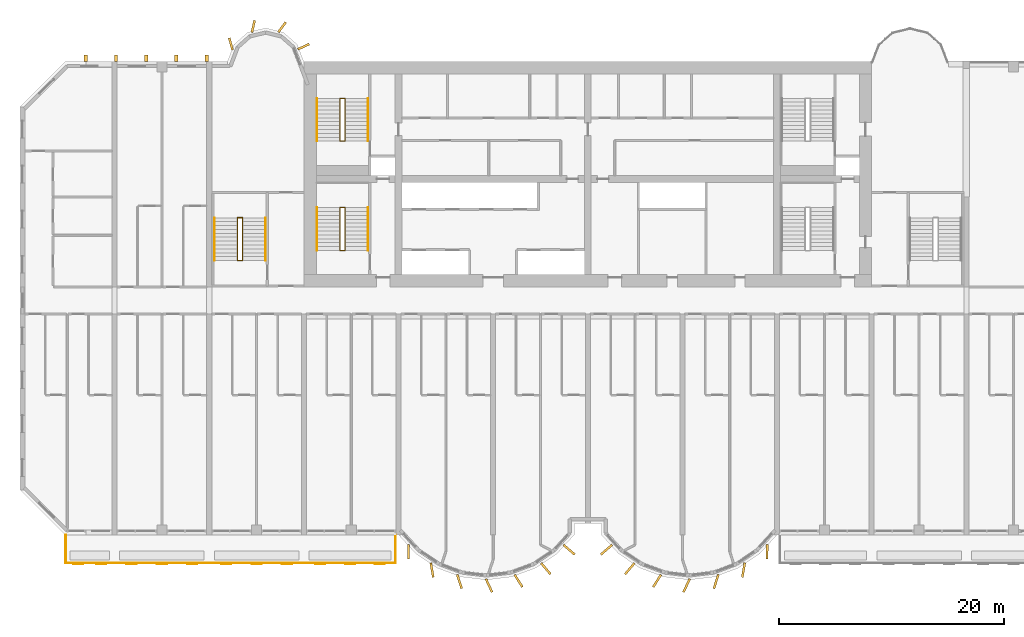
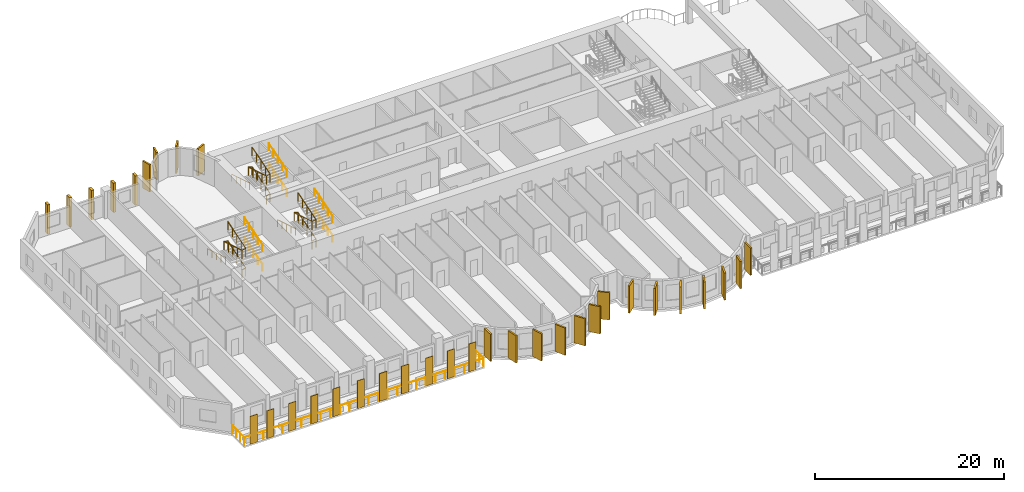
# One storey, part 12 of 14: 34 coverings, 13 railings.
"""IFC4 building model written with IfcOpenShell, lengths in metres."""

from ifc_helpers import new_model, si_unit, direction, frame, origin, origin_2d, place, context, subcontext, project, spatial, rectangle, circle, extrude, source, transform, mapped, material, layer, layer_set, material_profile, profile_set, type_object, element, save


model = new_model("IFC4")

# Units and contexts
model_context = context("Model", 3, precision=1e-05, world=origin(), true_north=direction((0.0, 1.0)))
body_context = subcontext(model_context, "Body", "Model", "MODEL_VIEW")
ifc_project = project(units=[si_unit("LENGTHUNIT", "METRE"), si_unit("AREAUNIT", "SQUARE_METRE"), si_unit("VOLUMEUNIT", "CUBIC_METRE"), si_unit("PLANEANGLEUNIT", "RADIAN"), si_unit("MASSUNIT", "GRAM", prefix="KILO")], contexts=[model_context])

# Site, building, storey
site_placement = place(None, origin())
site = spatial("IfcSite", under=ifc_project, at=site_placement, CompositionType="ELEMENT")
building_placement = place(site_placement, origin())
building = spatial("IfcBuilding", under=site, at=building_placement, Name="Vanashikhar Sky Hotel", CompositionType="ELEMENT")
storey_placement = place(building_placement, frame((0.0, 0.0, 27.800048828125)))
storey = spatial("IfcBuildingStorey", under=building, at=storey_placement, Name="L05", CompositionType="ELEMENT", Elevation=27.800048828125)

# Railing
ifc_material_1 = material(Name="Stainless steel 316", Category="steel")
railing_type_1 = type_object("IfcRailingType", Name="Balcony guard 1100", PredefinedType="GUARDRAIL", material=ifc_material_1)
shared_shape_1 = source(origin(), body_context, "Body", "SweptSolid", [
    extrude(circle(Radius=0.02392578125, at=origin_2d()), frame((0.0, 0.0, 1.076171875), z_axis=(0.0, -1.0, 0.0), x_axis=(1.0, 0.0, 0.0)), (0.0, 0.0, 1.0), 2.5),
    extrude(circle(Radius=0.02392578125, at=origin_2d()), frame((0.0, -2.5, 1.076171875), z_axis=(1.0, 0.0, 0.0), x_axis=(0.0, 1.0, 0.0)), (0.0, 0.0, 1.0), 29.280029296875),
    extrude(circle(Radius=0.02392578125, at=origin_2d()), frame((29.280029296875, -2.5, 1.076171875), z_axis=(0.0, 1.0, 0.0), x_axis=(-1.0, 0.0, 0.0)), (0.0, 0.0, 1.0), 2.5),
    extrude(circle(Radius=0.02099609375, at=origin_2d()), origin(), (0.0, 0.0, 1.0), 1.052001953125),
    extrude(circle(Radius=0.02099609375, at=origin_2d()), frame((0.0, -0.833251953125, 0.0)), (0.0, 0.0, 1.0), 1.052001953125),
    extrude(circle(Radius=0.02099609375, at=origin_2d()), frame((0.0, -1.666748046875, 0.0)), (0.0, 0.0, 1.0), 1.052001953125),
    extrude(circle(Radius=0.02099609375, at=origin_2d()), frame((0.0, -2.5, 0.0)), (0.0, 0.0, 1.0), 1.052001953125),
    extrude(circle(Radius=0.02099609375, at=origin_2d()), frame((1.171142578125, -2.5, 0.0)), (0.0, 0.0, 1.0), 1.052001953125),
    extrude(circle(Radius=0.02099609375, at=origin_2d()), frame((2.34228515625, -2.5, 0.0)), (0.0, 0.0, 1.0), 1.052001953125),
    extrude(circle(Radius=0.02099609375, at=origin_2d()), frame((3.513671875, -2.5, 0.0)), (0.0, 0.0, 1.0), 1.052001953125),
    extrude(circle(Radius=0.02099609375, at=origin_2d()), frame((4.684814453125, -2.5, 0.0)), (0.0, 0.0, 1.0), 1.052001953125),
    extrude(circle(Radius=0.02099609375, at=origin_2d()), frame((5.85595703125, -2.5, 0.0)), (0.0, 0.0, 1.0), 1.052001953125),
    extrude(circle(Radius=0.02099609375, at=origin_2d()), frame((7.027099609375, -2.5, 0.0)), (0.0, 0.0, 1.0), 1.052001953125),
    extrude(circle(Radius=0.02099609375, at=origin_2d()), frame((8.198486328125, -2.5, 0.0)), (0.0, 0.0, 1.0), 1.052001953125),
    extrude(circle(Radius=0.02099609375, at=origin_2d()), frame((9.36962890625, -2.5, 0.0)), (0.0, 0.0, 1.0), 1.052001953125),
    extrude(circle(Radius=0.02099609375, at=origin_2d()), frame((10.540771484375, -2.5, 0.0)), (0.0, 0.0, 1.0), 1.052001953125),
    extrude(circle(Radius=0.02099609375, at=origin_2d()), frame((11.7119140625, -2.5, 0.0)), (0.0, 0.0, 1.0), 1.052001953125),
    extrude(circle(Radius=0.02099609375, at=origin_2d()), frame((12.88330078125, -2.5, 0.0)), (0.0, 0.0, 1.0), 1.052001953125),
    extrude(circle(Radius=0.02099609375, at=origin_2d()), frame((14.054443359375, -2.5, 0.0)), (0.0, 0.0, 1.0), 1.052001953125),
    extrude(circle(Radius=0.02099609375, at=origin_2d()), frame((15.2255859375, -2.5, 0.0)), (0.0, 0.0, 1.0), 1.052001953125),
    extrude(circle(Radius=0.02099609375, at=origin_2d()), frame((16.396728515625, -2.5, 0.0)), (0.0, 0.0, 1.0), 1.052001953125),
    extrude(circle(Radius=0.02099609375, at=origin_2d()), frame((17.568115234375, -2.5, 0.0)), (0.0, 0.0, 1.0), 1.052001953125),
    extrude(circle(Radius=0.02099609375, at=origin_2d()), frame((18.7392578125, -2.5, 0.0)), (0.0, 0.0, 1.0), 1.052001953125),
    extrude(circle(Radius=0.02099609375, at=origin_2d()), frame((19.910400390625, -2.5, 0.0)), (0.0, 0.0, 1.0), 1.052001953125),
    extrude(circle(Radius=0.02099609375, at=origin_2d()), frame((21.08154296875, -2.5, 0.0)), (0.0, 0.0, 1.0), 1.052001953125),
    extrude(circle(Radius=0.02099609375, at=origin_2d()), frame((22.2529296875, -2.5, 0.0)), (0.0, 0.0, 1.0), 1.052001953125),
    extrude(circle(Radius=0.02099609375, at=origin_2d()), frame((23.424072265625, -2.5, 0.0)), (0.0, 0.0, 1.0), 1.052001953125),
    extrude(circle(Radius=0.02099609375, at=origin_2d()), frame((24.59521484375, -2.5, 0.0)), (0.0, 0.0, 1.0), 1.052001953125),
    extrude(circle(Radius=0.02099609375, at=origin_2d()), frame((25.766357421875, -2.5, 0.0)), (0.0, 0.0, 1.0), 1.052001953125),
    extrude(circle(Radius=0.02099609375, at=origin_2d()), frame((26.937744140625, -2.5, 0.0)), (0.0, 0.0, 1.0), 1.052001953125),
    extrude(circle(Radius=0.02099609375, at=origin_2d()), frame((28.10888671875, -2.5, 0.0)), (0.0, 0.0, 1.0), 1.052001953125),
    extrude(circle(Radius=0.02099609375, at=origin_2d()), frame((29.280029296875, -2.5, 0.0)), (0.0, 0.0, 1.0), 1.052001953125),
    extrude(circle(Radius=0.02099609375, at=origin_2d()), frame((29.280029296875, -1.666748046875, 0.0)), (0.0, 0.0, 1.0), 1.052001953125),
    extrude(circle(Radius=0.02099609375, at=origin_2d()), frame((29.280029296875, -0.833251953125, 0.0)), (0.0, 0.0, 1.0), 1.052001953125),
    extrude(circle(Radius=0.02099609375, at=origin_2d()), frame((29.280029296875, 0.0, 0.0)), (0.0, 0.0, 1.0), 1.052001953125),
])
railing_1_placement = place(storey_placement, frame((4.06005859375, 0.0, -0.050048828125)))
element("IfcRailing", 1, at=railing_1_placement, inside=storey, type_object=railing_type_1, Name="Balcony guard", PredefinedType="GUARDRAIL", context=body_context, shape_type="MappedRepresentation", body=[
    mapped(shared_shape_1, transform((0.0, 0.0, 0.0), scale=1.0)),
])

# Coverings
ifc_material_2 = material(Name="Terracotta", Category="masonry")
ifc_layer = layer(ifc_material_2, 0.06005859375)
ifc_layer_set = layer_set([ifc_layer], Name="Terracotta baguette screen")
covering_type_1 = type_object("IfcCoveringType", Name="Terracotta baguette screen", PredefinedType="CLADDING", material=ifc_layer_set)
shared_shape_2 = source(origin(), body_context, "Body", "SweptSolid", [
    extrude(rectangle(XDim=0.89990234375, YDim=0.06005859375, at=origin_2d()), origin(), (0.0, 0.0, 1.0), 3.60009765625),
])
for number, where, z_axis, x_axis, name in (
    (2, (5.175048828125, -2.570068359375, -0.050048828125), (0.0, 0.0, 1.0), (1.0, 0.0, 0.0), "Terracotta screen"),
    (3, (7.22509765625, -2.570068359375, -0.050048828125), (0.0, 0.0, 1.0), (1.0, 0.0, 0.0), "Terracotta screen"),
    (4, (9.89990234375, -2.570068359375, -0.050048828125), (0.0, 0.0, 1.0), (1.0, 0.0, 0.0), "Terracotta screen"),
    (5, (12.60009765625, -2.570068359375, -0.050048828125), (0.0, 0.0, 1.0), (1.0, 0.0, 0.0), "Terracotta screen"),
    (6, (15.300048828125, -2.570068359375, -0.050048828125), (0.0, 0.0, 1.0), (1.0, 0.0, 0.0), "Terracotta screen"),
    (7, (18.300048828125, -2.570068359375, -0.050048828125), (0.0, 0.0, 1.0), (1.0, 0.0, 0.0), "Terracotta screen"),
    (8, (21.0, -2.570068359375, -0.050048828125), (0.0, 0.0, 1.0), (1.0, 0.0, 0.0), "Terracotta screen"),
    (9, (23.699951171875, -2.570068359375, -0.050048828125), (0.0, 0.0, 1.0), (1.0, 0.0, 0.0), "Terracotta screen"),
    (10, (26.666748046875, -2.570068359375, -0.050048828125), (0.0, 0.0, 1.0), (1.0, 0.0, 0.0), "Terracotta screen"),
    (11, (29.300048828125, -2.570068359375, -0.050048828125), (0.0, 0.0, 1.0), (1.0, 0.0, 0.0), "Terracotta screen"),
    (12, (31.933349609375, -2.570068359375, -0.050048828125), (0.0, 0.0, 1.0), (1.0, 0.0, 0.0), "Terracotta screen"),
):
    element("IfcCovering", number, at=place(storey_placement, frame(where, z_axis=z_axis, x_axis=x_axis)), inside=storey, type_object=covering_type_1, Name=name, PredefinedType="CLADDING", context=body_context, shape_type="MappedRepresentation", body=[
        mapped(shared_shape_2, transform((0.0, 0.0, 0.0), scale=1.0)),
    ])
ifc_material_3 = material(Name="Concrete M60 dark", Category="concrete")
ifc_material_profile_1 = material_profile(ifc_material_3, rectangle(XDim=1.300048828125, YDim=0.199951171875, at=origin_2d()))
ifc_profile_set_1 = profile_set([ifc_material_profile_1], Name="Fin 1300 x 200")
covering_type_2 = type_object("IfcCoveringType", Name="Fin 1300 x 200", PredefinedType="CLADDING", material=ifc_profile_set_1)
shared_shape_3 = source(origin(), body_context, "Body", "SweptSolid", [
    extrude(rectangle(XDim=1.300048828125, YDim=0.199951171875, at=origin_2d()), origin(), (0.0, 0.0, 1.0), 3.52001953125),
])
for number, where, z_axis, x_axis, name in (
    (13, (34.482421875, -1.507080078125, 0.0), (0.0, 0.0, 1.0), (0.011588726826, -0.999932848451, 0.0), "Fin F1-1"),
    (14, (36.572509765625, -3.1220703125, 0.0), (0.0, 0.0, 1.0), (0.16989991575, -0.985461322746, 0.0), "Fin F1-2"),
    (15, (39.00830078125, -4.14306640625, 0.0), (0.0, 0.0, 1.0), (0.303966551867, -0.952682704444, 0.0), "Fin F1-3"),
    (16, (41.63232421875, -4.49853515625, 0.0), (0.0, 0.0, 1.0), (0.422618261741, -0.906307787037, 0.0), "Fin F1-4"),
    (17, (44.251953125, -4.083984375, 0.0), (0.0, 0.0, 1.0), (0.534411358496, -0.845224526331, 0.0), "Fin F1-5"),
    (18, (46.676025390625, -3.0, 0.0), (0.0, 0.0, 1.0), (0.645697609467, -0.763593214433, 0.0), "Fin F1-6"),
    (19, (48.7412109375, -1.3154296875, 0.0), (0.0, 0.0, 1.0), (0.758543912032, -0.65162192529, 0.0), "Fin F1-7"),
    (20, (52.058837890625, -1.3154296875, 0.0), (0.0, 0.0, 1.0), (-0.758543912032, -0.65162192529, 0.0), "Fin F2-1"),
    (21, (54.123779296875, -3.0, 0.0), (0.0, 0.0, 1.0), (-0.645697609467, -0.763593214433, 0.0), "Fin F2-2"),
    (22, (56.547119140625, -4.083984375, 0.0), (0.0, 0.0, 1.0), (-0.534411358496, -0.845224526331, 0.0), "Fin F2-3"),
    (23, (59.16748046875, -4.49853515625, 0.0), (0.0, 0.0, 1.0), (-0.422618261741, -0.906307787037, 0.0), "Fin F2-4"),
    (24, (61.790771484375, -4.14306640625, 0.0), (0.0, 0.0, 1.0), (-0.303966551867, -0.952682704444, 0.0), "Fin F2-5"),
    (25, (64.2275390625, -3.1220703125, 0.0), (0.0, 0.0, 1.0), (-0.16989991575, -0.985461322746, 0.0), "Fin F2-6"),
    (26, (66.317626953125, -1.507080078125, 0.0), (0.0, 0.0, 1.0), (-0.011588726826, -0.999932848451, 0.0), "Fin F2-7"),
):
    element("IfcCovering", number, at=place(storey_placement, frame(where, z_axis=z_axis, x_axis=x_axis)), inside=storey, type_object=covering_type_2, Name=name, PredefinedType="CLADDING", context=body_context, shape_type="MappedRepresentation", body=[
        mapped(shared_shape_3, transform((0.0, 0.0, 0.0), scale=1.0)),
    ])
ifc_material_profile_2 = material_profile(ifc_material_3, rectangle(XDim=1.10009765625, YDim=0.199951171875, at=origin_2d()))
ifc_profile_set_2 = profile_set([ifc_material_profile_2], Name="Rear lobe fin 1100 x 200")
covering_type_3 = type_object("IfcCoveringType", Name="Rear lobe fin 1100 x 200", PredefinedType="CLADDING", material=ifc_profile_set_2)
shared_shape_4 = source(origin(), body_context, "Body", "SweptSolid", [
    extrude(rectangle(XDim=1.10009765625, YDim=0.199951171875, at=origin_2d()), origin(), (0.0, 0.0, 1.0), 3.52001953125),
])
for number, where, z_axis, x_axis, name in (
    (27, (18.720703125, 43.580078125, 0.0), (0.0, 0.0, 1.0), (-0.262711264409, 0.964874495234, 0.0), "Fin R1-1"),
    (28, (20.710205078125, 45.1455078125, 0.0), (0.0, 0.0, 1.0), (0.224644935864, 0.974440687159, 0.0), "Fin R1-2"),
    (29, (23.261962890625, 45.06640625, 0.0), (0.0, 0.0, 1.0), (0.602065892195, 0.798446404874, 0.0), "Fin R1-3"),
    (30, (25.169677734375, 43.33447265625, 0.0), (0.0, 0.0, 1.0), (0.908004291068, 0.418960866193, 0.0), "Fin R1-4"),
):
    element("IfcCovering", number, at=place(storey_placement, frame(where, z_axis=z_axis, x_axis=x_axis)), inside=storey, type_object=covering_type_3, Name=name, PredefinedType="CLADDING", context=body_context, shape_type="MappedRepresentation", body=[
        mapped(shared_shape_4, transform((0.0, 0.0, 0.0), scale=1.0)),
    ])
ifc_material_profile_3 = material_profile(ifc_material_3, rectangle(XDim=0.60009765625, YDim=0.300048828125, at=origin_2d()))
ifc_profile_set_3 = profile_set([ifc_material_profile_3], Name="Rear rib 600 x 300")
covering_type_4 = type_object("IfcCoveringType", Name="Rear rib 600 x 300", PredefinedType="CLADDING", material=ifc_profile_set_3)
shared_shape_5 = source(origin(), body_context, "Body", "SweptSolid", [
    extrude(rectangle(XDim=0.60009765625, YDim=0.300048828125, at=origin_2d()), origin(), (0.0, 0.0, 1.0), 3.800048828125),
])
for number, where, z_axis, x_axis, name in (
    (31, (5.840087890625, 42.300048828125, -0.280029296875), (0.0, 0.0, 1.0), (0.0, 1.0, 0.0), "Rear rib"),
    (32, (8.52001953125, 42.300048828125, -0.280029296875), (0.0, 0.0, 1.0), (0.0, 1.0, 0.0), "Rear rib"),
    (33, (11.199951171875, 42.300048828125, -0.280029296875), (0.0, 0.0, 1.0), (0.0, 1.0, 0.0), "Rear rib"),
    (34, (13.8798828125, 42.300048828125, -0.280029296875), (0.0, 0.0, 1.0), (0.0, 1.0, 0.0), "Rear rib"),
    (35, (16.56005859375, 42.300048828125, -0.280029296875), (0.0, 0.0, 1.0), (0.0, 1.0, 0.0), "Rear rib"),
):
    element("IfcCovering", number, at=place(storey_placement, frame(where, z_axis=z_axis, x_axis=x_axis)), inside=storey, type_object=covering_type_4, Name=name, PredefinedType="CLADDING", context=body_context, shape_type="MappedRepresentation", body=[
        mapped(shared_shape_5, transform((0.0, 0.0, 0.0), scale=1.0)),
    ])

# Railings
ifc_material_4 = material(Name="Steel S355", Category="steel")
railing_type_2 = type_object("IfcRailingType", Name="Stair guard 1100", PredefinedType="GUARDRAIL", material=ifc_material_4)
shared_shape_6 = source(origin(), body_context, "Body", "SweptSolid", [
    extrude(circle(Radius=0.02392578125, at=origin_2d()), frame((0.0, 0.0, 1.076171875), z_axis=(0.973638301096, 0.0, 0.228097476179), x_axis=(0.0, 1.0, 0.0)), (0.0, 0.0, 1.0), 0.46240234375),
    extrude(circle(Radius=0.02392578125, at=origin_2d()), frame((0.4501953125, 0.0, 1.181640625), z_axis=(0.0, 0.95635109408, 0.292220096591), x_axis=(-1.0, 0.0, 0.0)), (0.0, 0.0, 1.0), 3.973388671875),
    extrude(circle(Radius=0.02392578125, at=origin_2d()), frame((0.4501953125, 3.800048828125, 2.3427734375), z_axis=(-0.973638301096, 0.0, 0.228097476179), x_axis=(0.0, -1.0, 0.0)), (0.0, 0.0, 1.0), 0.46240234375),
    extrude(circle(Radius=0.02392578125, at=origin_2d()), frame((0.0, 3.800048828125, 2.4482421875), z_axis=(0.0, -0.95635109408, 0.292220096591), x_axis=(1.0, 0.0, 0.0)), (0.0, 0.0, 1.0), 3.973388671875),
    extrude(circle(Radius=0.02392578125, at=origin_2d()), frame((0.0, 0.0, 3.609375), z_axis=(0.973520925263, 0.0, 0.228597917917), x_axis=(0.0, 1.0, 0.0)), (0.0, 0.0, 1.0), 0.46240234375),
    extrude(circle(Radius=0.02392578125, at=origin_2d()), frame((0.4501953125, 0.0, 3.71484375), z_axis=(0.0, 0.95635109408, 0.292220096591), x_axis=(-1.0, 0.0, 0.0)), (0.0, 0.0, 1.0), 3.973388671875),
    extrude(circle(Radius=0.02099609375, at=origin_2d()), origin(), (0.0, 0.0, 1.0), 1.052001953125),
    extrude(circle(Radius=0.02099609375, at=origin_2d()), frame((0.4501953125, 0.0, 0.10546875)), (0.0, 0.0, 1.0), 1.052001953125),
    extrude(circle(Radius=0.02099609375, at=origin_2d()), frame((0.4501953125, 0.949951171875, 0.395751953125)), (0.0, 0.0, 1.0), 1.052001953125),
    extrude(circle(Radius=0.02099609375, at=origin_2d()), frame((0.4501953125, 1.89990234375, 0.68603515625)), (0.0, 0.0, 1.0), 1.052001953125),
    extrude(circle(Radius=0.02099609375, at=origin_2d()), frame((0.4501953125, 2.85009765625, 0.976318359375)), (0.0, 0.0, 1.0), 1.052001953125),
    extrude(circle(Radius=0.02099609375, at=origin_2d()), frame((0.4501953125, 3.800048828125, 1.2666015625)), (0.0, 0.0, 1.0), 1.052001953125),
    extrude(circle(Radius=0.02099609375, at=origin_2d()), frame((0.0, 3.800048828125, 1.3720703125)), (0.0, 0.0, 1.0), 1.052001953125),
    extrude(circle(Radius=0.02099609375, at=origin_2d()), frame((0.0, 2.85009765625, 1.662353515625)), (0.0, 0.0, 1.0), 1.052001953125),
    extrude(circle(Radius=0.02099609375, at=origin_2d()), frame((0.0, 1.89990234375, 1.95263671875)), (0.0, 0.0, 1.0), 1.052001953125),
    extrude(circle(Radius=0.02099609375, at=origin_2d()), frame((0.0, 0.949951171875, 2.242919921875)), (0.0, 0.0, 1.0), 1.052001953125),
    extrude(circle(Radius=0.02099609375, at=origin_2d()), frame((0.0, 0.0, 2.533203125)), (0.0, 0.0, 1.0), 1.052001953125),
    extrude(circle(Radius=0.02099609375, at=origin_2d()), frame((0.4501953125, 0.0, 2.638916015625)), (0.0, 0.0, 1.0), 1.052001953125),
    extrude(circle(Radius=0.02099609375, at=origin_2d()), frame((0.4501953125, 0.949951171875, 2.92919921875)), (0.0, 0.0, 1.0), 1.052001953125),
    extrude(circle(Radius=0.02099609375, at=origin_2d()), frame((0.4501953125, 1.89990234375, 3.219482421875)), (0.0, 0.0, 1.0), 1.052001953125),
    extrude(circle(Radius=0.02099609375, at=origin_2d()), frame((0.4501953125, 2.85009765625, 3.509765625)), (0.0, 0.0, 1.0), 1.052001953125),
    extrude(circle(Radius=0.02099609375, at=origin_2d()), frame((0.4501953125, 3.800048828125, 3.800048828125)), (0.0, 0.0, 1.0), 1.052001953125),
])
for number, where, name in (
    (36, (28.39990234375, 25.25, 0.0), "Exit stair 1 guard"),
    (37, (28.39990234375, 34.949951171875, 0.0), "Exit stair 5 guard"),
):
    element("IfcRailing", number, at=place(storey_placement, frame(where)), inside=storey, type_object=railing_type_2, Name=name, PredefinedType="GUARDRAIL", context=body_context, shape_type="MappedRepresentation", body=[
        mapped(shared_shape_6, transform((0.0, 0.0, 0.0), scale=1.0)),
    ])
railing_type_3 = type_object("IfcRailingType", Name="Stair handrail 900", PredefinedType="HANDRAIL", material=ifc_material_4)
shared_shape_7 = source(origin(), body_context, "Body", "SweptSolid", [
    extrude(circle(Radius=0.02392578125, at=origin_2d()), frame((0.0, 0.0, 0.8759765625), z_axis=(0.0, 0.95635109408, 0.292220096591), x_axis=(-1.0, 0.0, 0.0)), (0.0, 0.0, 1.0), 3.973388671875),
    extrude(circle(Radius=0.02099609375, at=origin_2d()), origin(), (0.0, 0.0, 1.0), 0.851806640625),
    extrude(circle(Radius=0.02099609375, at=origin_2d()), frame((0.0, 0.949951171875, 0.290283203125)), (0.0, 0.0, 1.0), 0.851806640625),
    extrude(circle(Radius=0.02099609375, at=origin_2d()), frame((0.0, 1.89990234375, 0.58056640625)), (0.0, 0.0, 1.0), 0.851806640625),
    extrude(circle(Radius=0.02099609375, at=origin_2d()), frame((0.0, 2.85009765625, 0.870849609375)), (0.0, 0.0, 1.0), 0.851806640625),
    extrude(circle(Radius=0.02099609375, at=origin_2d()), frame((0.0, 3.800048828125, 1.1611328125)), (0.0, 0.0, 1.0), 0.851806640625),
])
for number, where, name in (
    (38, (30.89990234375, 25.25, 0.10546875), "Exit stair 1 handrail"),
    (39, (30.89990234375, 25.25, 2.638916015625), "Exit stair 1 handrail"),
    (40, (30.89990234375, 34.949951171875, 0.10546875), "Exit stair 5 handrail"),
    (41, (30.89990234375, 34.949951171875, 2.638916015625), "Exit stair 5 handrail"),
):
    element("IfcRailing", number, at=place(storey_placement, frame(where)), inside=storey, type_object=railing_type_3, Name=name, PredefinedType="HANDRAIL", context=body_context, shape_type="MappedRepresentation", body=[
        mapped(shared_shape_7, transform((0.0, 0.0, 0.0), scale=1.0)),
    ])
shared_shape_8 = source(origin(), body_context, "Body", "SweptSolid", [
    extrude(circle(Radius=0.02392578125, at=origin_2d()), frame((0.0, 0.0, 0.8759765625), z_axis=(0.0, -0.95635109408, 0.292220096591), x_axis=(1.0, 0.0, 0.0)), (0.0, 0.0, 1.0), 3.973388671875),
    extrude(circle(Radius=0.02099609375, at=origin_2d()), origin(), (0.0, 0.0, 1.0), 0.851806640625),
    extrude(circle(Radius=0.02099609375, at=origin_2d()), frame((0.0, -0.949951171875, 0.290283203125)), (0.0, 0.0, 1.0), 0.851806640625),
    extrude(circle(Radius=0.02099609375, at=origin_2d()), frame((0.0, -1.89990234375, 0.58056640625)), (0.0, 0.0, 1.0), 0.851806640625),
    extrude(circle(Radius=0.02099609375, at=origin_2d()), frame((0.0, -2.85009765625, 0.870849609375)), (0.0, 0.0, 1.0), 0.851806640625),
    extrude(circle(Radius=0.02099609375, at=origin_2d()), frame((0.0, -3.800048828125, 1.1611328125)), (0.0, 0.0, 1.0), 0.851806640625),
])
for number, where, name in (
    (42, (26.35009765625, 29.050048828125, 1.3720703125), "Exit stair 1 handrail"),
    (43, (26.35009765625, 38.75, 1.3720703125), "Exit stair 5 handrail"),
):
    element("IfcRailing", number, at=place(storey_placement, frame(where)), inside=storey, type_object=railing_type_3, Name=name, PredefinedType="HANDRAIL", context=body_context, shape_type="MappedRepresentation", body=[
        mapped(shared_shape_8, transform((0.0, 0.0, 0.0), scale=1.0)),
    ])
shared_shape_9 = source(origin(), body_context, "Body", "SweptSolid", [
    extrude(circle(Radius=0.02392578125, at=origin_2d()), frame((0.0, 0.0, 1.076171875), z_axis=(0.973610808694, 0.0, 0.228214796178), x_axis=(0.0, 1.0, 0.0)), (0.0, 0.0, 1.0), 0.462158203125),
    extrude(circle(Radius=0.02392578125, at=origin_2d()), frame((0.449951171875, 0.0, 1.181640625), z_axis=(0.0, 0.956345846891, 0.292237268557), x_axis=(-1.0, 0.0, 0.0)), (0.0, 0.0, 1.0), 3.97314453125),
    extrude(circle(Radius=0.02392578125, at=origin_2d()), frame((0.449951171875, 3.7998046875, 2.3427734375), z_axis=(-0.973610808694, 0.0, 0.228214796178), x_axis=(0.0, -1.0, 0.0)), (0.0, 0.0, 1.0), 0.462158203125),
    extrude(circle(Radius=0.02392578125, at=origin_2d()), frame((0.0, 3.7998046875, 2.4482421875), z_axis=(0.0, -0.956345846891, 0.292237268557), x_axis=(1.0, 0.0, 0.0)), (0.0, 0.0, 1.0), 3.97314453125),
    extrude(circle(Radius=0.02392578125, at=origin_2d()), frame((0.0, 0.0, 3.609375), z_axis=(0.973493315427, 0.0, 0.228715466945), x_axis=(0.0, 1.0, 0.0)), (0.0, 0.0, 1.0), 0.462158203125),
    extrude(circle(Radius=0.02392578125, at=origin_2d()), frame((0.449951171875, 0.0, 3.71484375), z_axis=(0.0, 0.956345846891, 0.292237268557), x_axis=(-1.0, 0.0, 0.0)), (0.0, 0.0, 1.0), 3.97314453125),
    extrude(circle(Radius=0.02099609375, at=origin_2d()), origin(), (0.0, 0.0, 1.0), 1.052001953125),
    extrude(circle(Radius=0.02099609375, at=origin_2d()), frame((0.449951171875, 0.0, 0.10546875)), (0.0, 0.0, 1.0), 1.052001953125),
    extrude(circle(Radius=0.02099609375, at=origin_2d()), frame((0.449951171875, 0.949951171875, 0.395751953125)), (0.0, 0.0, 1.0), 1.052001953125),
    extrude(circle(Radius=0.02099609375, at=origin_2d()), frame((0.449951171875, 1.89990234375, 0.68603515625)), (0.0, 0.0, 1.0), 1.052001953125),
    extrude(circle(Radius=0.02099609375, at=origin_2d()), frame((0.449951171875, 2.849853515625, 0.976318359375)), (0.0, 0.0, 1.0), 1.052001953125),
    extrude(circle(Radius=0.02099609375, at=origin_2d()), frame((0.449951171875, 3.7998046875, 1.2666015625)), (0.0, 0.0, 1.0), 1.052001953125),
    extrude(circle(Radius=0.02099609375, at=origin_2d()), frame((0.0, 3.7998046875, 1.3720703125)), (0.0, 0.0, 1.0), 1.052001953125),
    extrude(circle(Radius=0.02099609375, at=origin_2d()), frame((0.0, 2.849853515625, 1.662353515625)), (0.0, 0.0, 1.0), 1.052001953125),
    extrude(circle(Radius=0.02099609375, at=origin_2d()), frame((0.0, 1.89990234375, 1.95263671875)), (0.0, 0.0, 1.0), 1.052001953125),
    extrude(circle(Radius=0.02099609375, at=origin_2d()), frame((0.0, 0.949951171875, 2.242919921875)), (0.0, 0.0, 1.0), 1.052001953125),
    extrude(circle(Radius=0.02099609375, at=origin_2d()), frame((0.0, 0.0, 2.533203125)), (0.0, 0.0, 1.0), 1.052001953125),
    extrude(circle(Radius=0.02099609375, at=origin_2d()), frame((0.449951171875, 0.0, 2.638916015625)), (0.0, 0.0, 1.0), 1.052001953125),
    extrude(circle(Radius=0.02099609375, at=origin_2d()), frame((0.449951171875, 0.949951171875, 2.92919921875)), (0.0, 0.0, 1.0), 1.052001953125),
    extrude(circle(Radius=0.02099609375, at=origin_2d()), frame((0.449951171875, 1.89990234375, 3.219482421875)), (0.0, 0.0, 1.0), 1.052001953125),
    extrude(circle(Radius=0.02099609375, at=origin_2d()), frame((0.449951171875, 2.849853515625, 3.509765625)), (0.0, 0.0, 1.0), 1.052001953125),
    extrude(circle(Radius=0.02099609375, at=origin_2d()), frame((0.449951171875, 3.7998046875, 3.800048828125)), (0.0, 0.0, 1.0), 1.052001953125),
])
railing_2_placement = place(storey_placement, frame((19.300048828125, 24.35009765625, 0.0)))
element("IfcRailing", 44, at=railing_2_placement, inside=storey, type_object=railing_type_2, Name="Exit stair 3 guard", PredefinedType="GUARDRAIL", context=body_context, shape_type="MappedRepresentation", body=[
    mapped(shared_shape_9, transform((0.0, 0.0, 0.0), scale=1.0)),
])
shared_shape_10 = source(origin(), body_context, "Body", "SweptSolid", [
    extrude(circle(Radius=0.02392578125, at=origin_2d()), frame((0.0, 0.0, 0.8759765625), z_axis=(0.0, 0.956345846891, 0.292237268557), x_axis=(-1.0, 0.0, 0.0)), (0.0, 0.0, 1.0), 3.97314453125),
    extrude(circle(Radius=0.02099609375, at=origin_2d()), origin(), (0.0, 0.0, 1.0), 0.851806640625),
    extrude(circle(Radius=0.02099609375, at=origin_2d()), frame((0.0, 0.949951171875, 0.290283203125)), (0.0, 0.0, 1.0), 0.851806640625),
    extrude(circle(Radius=0.02099609375, at=origin_2d()), frame((0.0, 1.89990234375, 0.58056640625)), (0.0, 0.0, 1.0), 0.851806640625),
    extrude(circle(Radius=0.02099609375, at=origin_2d()), frame((0.0, 2.849853515625, 0.870849609375)), (0.0, 0.0, 1.0), 0.851806640625),
    extrude(circle(Radius=0.02099609375, at=origin_2d()), frame((0.0, 3.7998046875, 1.1611328125)), (0.0, 0.0, 1.0), 0.851806640625),
])
for number, where, name in (
    (45, (21.800048828125, 24.35009765625, 0.10546875), "Exit stair 3 handrail"),
    (46, (21.800048828125, 24.35009765625, 2.638916015625), "Exit stair 3 handrail"),
):
    element("IfcRailing", number, at=place(storey_placement, frame(where)), inside=storey, type_object=railing_type_3, Name=name, PredefinedType="HANDRAIL", context=body_context, shape_type="MappedRepresentation", body=[
        mapped(shared_shape_10, transform((0.0, 0.0, 0.0), scale=1.0)),
    ])
shared_shape_11 = source(origin(), body_context, "Body", "SweptSolid", [
    extrude(circle(Radius=0.02392578125, at=origin_2d()), frame((0.0, 0.0, 0.8759765625), z_axis=(0.0, -0.956345846891, 0.292237268557), x_axis=(1.0, 0.0, 0.0)), (0.0, 0.0, 1.0), 3.97314453125),
    extrude(circle(Radius=0.02099609375, at=origin_2d()), origin(), (0.0, 0.0, 1.0), 0.851806640625),
    extrude(circle(Radius=0.02099609375, at=origin_2d()), frame((0.0, -0.949951171875, 0.290283203125)), (0.0, 0.0, 1.0), 0.851806640625),
    extrude(circle(Radius=0.02099609375, at=origin_2d()), frame((0.0, -1.89990234375, 0.58056640625)), (0.0, 0.0, 1.0), 0.851806640625),
    extrude(circle(Radius=0.02099609375, at=origin_2d()), frame((0.0, -2.849853515625, 0.870849609375)), (0.0, 0.0, 1.0), 0.851806640625),
    extrude(circle(Radius=0.02099609375, at=origin_2d()), frame((0.0, -3.7998046875, 1.1611328125)), (0.0, 0.0, 1.0), 0.851806640625),
])
railing_3_placement = place(storey_placement, frame((17.25, 28.14990234375, 1.3720703125)))
element("IfcRailing", 47, at=railing_3_placement, inside=storey, type_object=railing_type_3, Name="Exit stair 3 handrail", PredefinedType="HANDRAIL", context=body_context, shape_type="MappedRepresentation", body=[
    mapped(shared_shape_11, transform((0.0, 0.0, 0.0), scale=1.0)),
])

save(model, "model.ifc")
